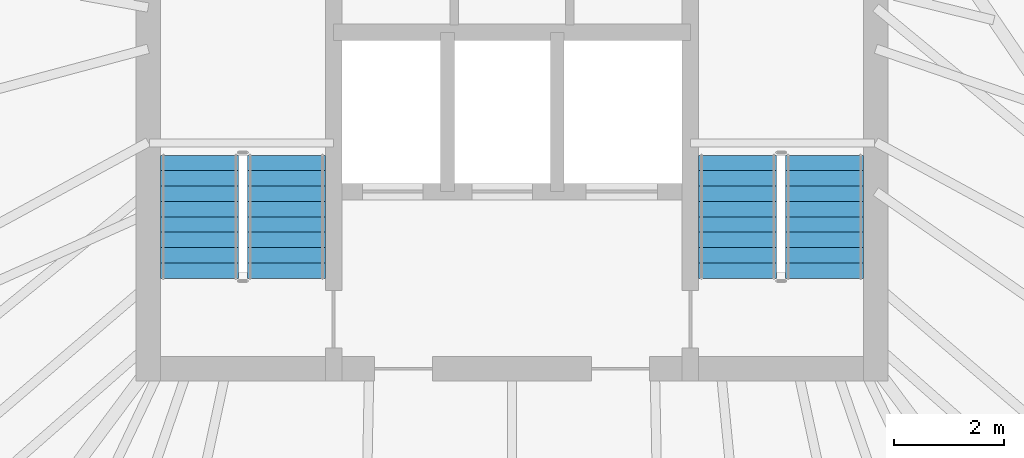
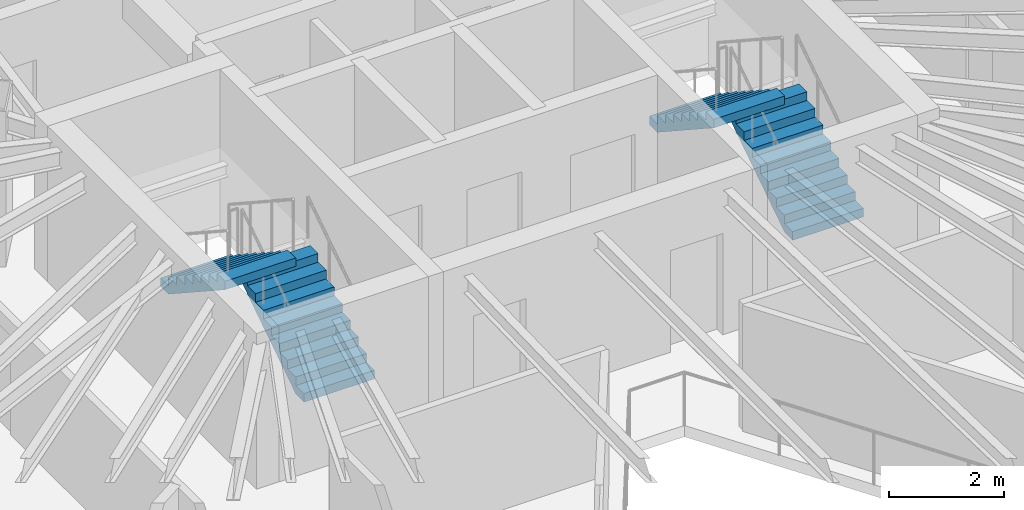
# One storey, part 31 of 34: 4 stair flights, 2 elements without a shape of their own.
"""IFC4 building model written with IfcOpenShell, lengths in metres."""

from ifc_helpers import new_model, si_unit, direction, frame, origin, place, context, subcontext, project, spatial, polyline, outline, extrude, material, type_object, element, aggregate, save


model = new_model("IFC4")

# Units and contexts
model_context = context("Model", 3, precision=1e-05, world=origin(), true_north=direction((0.0, 1.0)))
body_context = subcontext(model_context, "Body", "Model", "MODEL_VIEW")
ifc_project = project(units=[si_unit("LENGTHUNIT", "METRE"), si_unit("AREAUNIT", "SQUARE_METRE"), si_unit("VOLUMEUNIT", "CUBIC_METRE"), si_unit("PLANEANGLEUNIT", "RADIAN"), si_unit("MASSUNIT", "GRAM", prefix="KILO")], contexts=[model_context])

# Site, building, storey
site_placement = place(None, origin())
site = spatial("IfcSite", under=ifc_project, at=site_placement, CompositionType="ELEMENT")
building_placement = place(site_placement, origin())
building = spatial("IfcBuilding", under=site, at=building_placement, Name="Orvanel Arch Residences", CompositionType="ELEMENT")
storey_placement = place(building_placement, frame((0.0, 0.0, 67.550048828125)))
storey = spatial("IfcBuildingStorey", under=building, at=storey_placement, Name="L18", CompositionType="ELEMENT", Elevation=67.550048828125)

# Stair, stair flights
ifc_material = material(Name="Precast concrete N50 (50 MPa)", Category="concrete")
stair_type = type_object("IfcStairType", Name="STR-DOG-184", PredefinedType="USERDEFINED", material=ifc_material)
stair_1_placement = place(storey_placement, origin())
stair_1 = element("IfcStair", 1, at=stair_1_placement, inside=storey, type_object=stair_type, Name="L18 Fire-Isolated Core Exit Stair 1", ObjectType="TWO_RETURN_STAIR", PredefinedType="USERDEFINED")
stair_flight_type_1 = type_object("IfcStairFlightType", Name="SFL-C1-184", PredefinedType="STRAIGHT", material=ifc_material)
stair_flight_1_placement = place(storey_placement, frame((28.889892578125, 28.320068359375, 0.0), z_axis=(0.0, 0.0, 1.0), x_axis=(0.0, 1.0, 0.0)))
stair_flight_1 = element("IfcStairFlight", 2, at=stair_flight_1_placement, type_object=stair_flight_type_1, Name="ST-1 flight 1", NumberOfRisers=9, NumberOfTreads=8, PredefinedType="STRAIGHT", RiserHeight=0.183333333, TreadLength=0.28, context=body_context, shape_type="SweptSolid", body=[
    extrude(outline(polyline([(0.0, 0.0), (0.0, 0.183349609375), (0.280029296875, 0.183349609375), (0.280029296875, 0.36669921875), (0.56005859375, 0.36669921875), (0.56005859375, 0.550048828125), (0.840087890625, 0.550048828125), (0.840087890625, 0.7333984375), (1.1201171875, 0.7333984375), (1.1201171875, 0.916748046875), (1.39990234375, 0.916748046875), (1.39990234375, 1.10009765625), (1.679931640625, 1.10009765625), (1.679931640625, 1.283447265625), (1.9599609375, 1.283447265625), (1.9599609375, 1.466552734375), (2.239990234375, 1.466552734375), (2.239990234375, 1.64990234375), (2.239990234375, 1.28759765625), (0.273681640625, 0.0), (0.0, 0.0)])), frame((0.0, 0.7099609375, 0.0), z_axis=(0.0, -1.0, 0.0), x_axis=(1.0, 0.0, 0.0)), (0.0, 0.0, 1.0), 1.419921875),
])
stair_flight_2_placement = place(storey_placement, frame((27.31005859375, 30.56005859375, 1.64990234375), z_axis=(0.0, 0.0, 1.0), x_axis=(0.0, -1.0, 0.0)))
stair_flight_2 = element("IfcStairFlight", 3, at=stair_flight_2_placement, type_object=stair_flight_type_1, Name="ST-1 flight 2", NumberOfRisers=9, NumberOfTreads=8, PredefinedType="STRAIGHT", RiserHeight=0.183333333, TreadLength=0.28, context=body_context, shape_type="SweptSolid", body=[
    extrude(outline(polyline([(0.0, 0.0), (0.0, 0.183349609375), (0.280029296875, 0.183349609375), (0.280029296875, 0.36669921875), (0.56005859375, 0.36669921875), (0.56005859375, 0.550048828125), (0.840087890625, 0.550048828125), (0.840087890625, 0.7333984375), (1.1201171875, 0.7333984375), (1.1201171875, 0.916748046875), (1.39990234375, 0.916748046875), (1.39990234375, 1.10009765625), (1.679931640625, 1.10009765625), (1.679931640625, 1.283447265625), (1.9599609375, 1.283447265625), (1.9599609375, 1.466552734375), (2.239990234375, 1.466552734375), (2.239990234375, 1.64990234375), (2.239990234375, 1.28759765625), (0.273681640625, 0.0), (0.0, 0.0)])), frame((0.0, 0.7099609375, 0.0), z_axis=(0.0, -1.0, 0.0), x_axis=(1.0, 0.0, 0.0)), (0.0, 0.0, 1.0), 1.419921875),
])
aggregate(stair_1, [stair_flight_1, stair_flight_2])

stair_2_placement = place(storey_placement, origin())
stair_2 = element("IfcStair", 4, at=stair_2_placement, inside=storey, type_object=stair_type, Name="L18 Fire-Isolated Core Exit Stair 2", ObjectType="TWO_RETURN_STAIR", PredefinedType="USERDEFINED")
stair_flight_type_2 = type_object("IfcStairFlightType", Name="SFL-C2-184", PredefinedType="STRAIGHT", material=ifc_material)
stair_flight_3_placement = place(storey_placement, frame((38.68994140625, 28.320068359375, 0.0), z_axis=(0.0, 0.0, 1.0), x_axis=(0.0, 1.0, 0.0)))
stair_flight_3 = element("IfcStairFlight", 5, at=stair_flight_3_placement, type_object=stair_flight_type_2, Name="ST-2 flight 1", NumberOfRisers=9, NumberOfTreads=8, PredefinedType="STRAIGHT", RiserHeight=0.183333333, TreadLength=0.28, context=body_context, shape_type="SweptSolid", body=[
    extrude(outline(polyline([(0.0, 0.0), (0.0, 0.183349609375), (0.280029296875, 0.183349609375), (0.280029296875, 0.36669921875), (0.56005859375, 0.36669921875), (0.56005859375, 0.550048828125), (0.840087890625, 0.550048828125), (0.840087890625, 0.7333984375), (1.1201171875, 0.7333984375), (1.1201171875, 0.916748046875), (1.39990234375, 0.916748046875), (1.39990234375, 1.10009765625), (1.679931640625, 1.10009765625), (1.679931640625, 1.283447265625), (1.9599609375, 1.283447265625), (1.9599609375, 1.466552734375), (2.239990234375, 1.466552734375), (2.239990234375, 1.64990234375), (2.239990234375, 1.28759765625), (0.273681640625, 0.0), (0.0, 0.0)])), frame((0.0, 0.7099609375, 0.0), z_axis=(0.0, -1.0, 0.0), x_axis=(1.0, 0.0, 0.0)), (0.0, 0.0, 1.0), 1.419921875),
])
stair_flight_4_placement = place(storey_placement, frame((37.110107421875, 30.56005859375, 1.64990234375), z_axis=(0.0, 0.0, 1.0), x_axis=(0.0, -1.0, 0.0)))
stair_flight_4 = element("IfcStairFlight", 6, at=stair_flight_4_placement, type_object=stair_flight_type_2, Name="ST-2 flight 2", NumberOfRisers=9, NumberOfTreads=8, PredefinedType="STRAIGHT", RiserHeight=0.183333333, TreadLength=0.28, context=body_context, shape_type="SweptSolid", body=[
    extrude(outline(polyline([(0.0, 0.0), (0.0, 0.183349609375), (0.280029296875, 0.183349609375), (0.280029296875, 0.36669921875), (0.56005859375, 0.36669921875), (0.56005859375, 0.550048828125), (0.840087890625, 0.550048828125), (0.840087890625, 0.7333984375), (1.1201171875, 0.7333984375), (1.1201171875, 0.916748046875), (1.39990234375, 0.916748046875), (1.39990234375, 1.10009765625), (1.679931640625, 1.10009765625), (1.679931640625, 1.283447265625), (1.9599609375, 1.283447265625), (1.9599609375, 1.466552734375), (2.239990234375, 1.466552734375), (2.239990234375, 1.64990234375), (2.239990234375, 1.28759765625), (0.273681640625, 0.0), (0.0, 0.0)])), frame((0.0, 0.7099609375, 0.0), z_axis=(0.0, -1.0, 0.0), x_axis=(1.0, 0.0, 0.0)), (0.0, 0.0, 1.0), 1.419921875),
])
aggregate(stair_2, [stair_flight_3, stair_flight_4])

save(model, "model.ifc")
